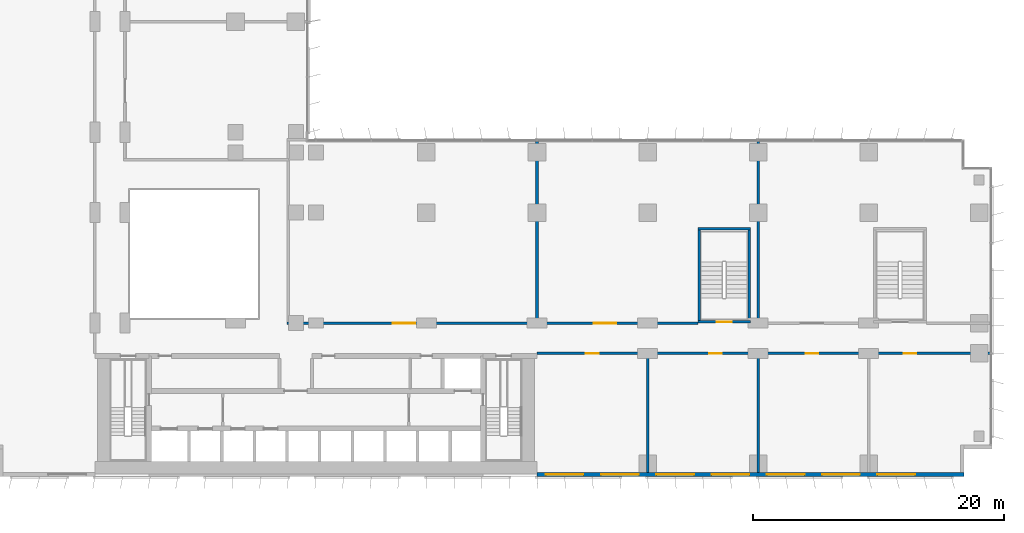
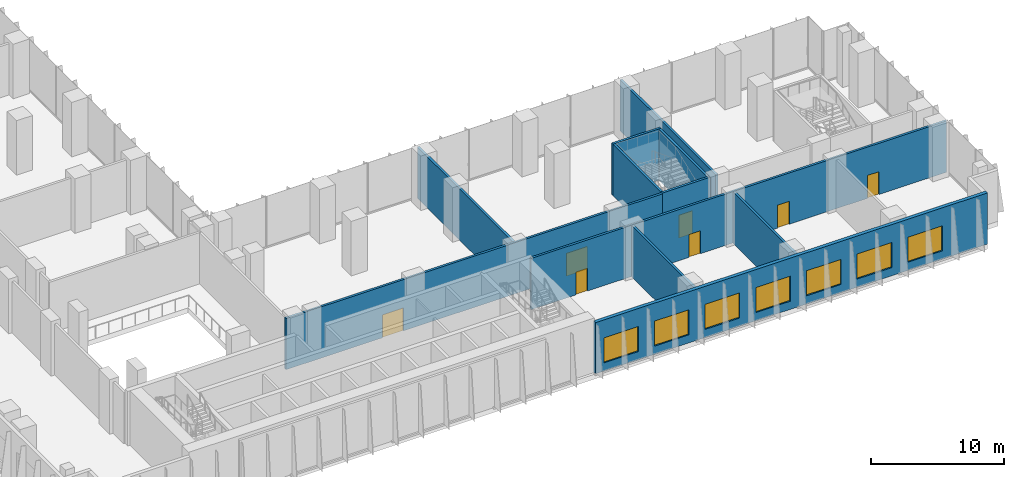
# One storey, part 13 of 23: 11 walls, 7 doors, 7 windows, 14 openings.
"""IFC4 building model written with IfcOpenShell, lengths in metres."""

from ifc_helpers import new_model, si_unit, direction, frame, frame_2d, origin, place, context, subcontext, project, spatial, rectangle, extrude, material, layer, layer_set, type_object, element, fill, save


model = new_model("IFC4")

# Units and contexts
model_context = context("Model", 3, precision=1e-05, world=origin(), true_north=direction((0.0, 1.0)))
body_context = subcontext(model_context, "Body", "Model", "MODEL_VIEW")
ifc_project = project(units=[si_unit("LENGTHUNIT", "METRE"), si_unit("AREAUNIT", "SQUARE_METRE"), si_unit("VOLUMEUNIT", "CUBIC_METRE"), si_unit("PLANEANGLEUNIT", "RADIAN"), si_unit("MASSUNIT", "GRAM", prefix="KILO")], contexts=[model_context])

# Site, building, storey
site_placement = place(None, origin())
site = spatial("IfcSite", under=ifc_project, at=site_placement, CompositionType="ELEMENT")
building_placement = place(site_placement, origin())
building = spatial("IfcBuilding", under=site, at=building_placement, Name="Kemantara Hotel Tower", CompositionType="ELEMENT")
storey_placement = place(building_placement, frame((0.0, 0.0, 71.0)))
storey = spatial("IfcBuildingStorey", under=building, at=storey_placement, Name="L16", CompositionType="ELEMENT", Elevation=71.0)

# Wall, openings, windows
ifc_material_1 = material(Name="Bronze anodised aluminium cladding on insulated steel stud wall", Category="steel")
ifc_layer_1 = layer(ifc_material_1, 0.300048828125)
ifc_layer_set_1 = layer_set([ifc_layer_1], Name="Bronze anodised aluminium cladding on insulated steel stud wall")
wall_type_1 = type_object("IfcWallType", Name="BRONZE METAL-CLAD EXTERNAL WALL 300", PredefinedType="STANDARD", material=ifc_layer_set_1)
wall_1_placement = place(storey_placement, frame((45.0, 0.14990234375, 0.0), z_axis=(0.0, 0.0, 1.0), x_axis=(1.0, 0.0, 0.0)))
wall_1 = element("IfcWall", 1, at=wall_1_placement, inside=storey, type_object=wall_type_1, Name="EXTERNAL WALL L16 T1-R01-3", PredefinedType="STANDARD", context=body_context, shape_type="SweptSolid", body=[
    extrude(rectangle(XDim=34.0, YDim=0.300048828125, at=frame_2d((17.0, 0.0))), origin(), (0.0, 0.0, 1.0), 4.699951171875),
])
opening_1_placement = place(wall_1_placement, frame((0.699951171875, 0.0, 0.75)))
opening_1 = element("IfcOpeningElement", 2, at=opening_1_placement, cuts=wall_1, Name="Opening W1", PredefinedType="OPENING", context=body_context, shape_type="SweptSolid", body=[
    extrude(rectangle(XDim=3.0, YDim=2.300048828125, at=frame_2d((1.5, 1.14990234375))), frame((0.0, 0.159912109375, 0.0), z_axis=(0.0, -1.0, 0.0), x_axis=(1.0, 0.0, 0.0)), (0.0, 0.0, 1.0), 0.320068359375),
])
opening_2_placement = place(wall_1_placement, frame((5.10009765625, 0.0, 0.75)))
opening_2 = element("IfcOpeningElement", 3, at=opening_2_placement, cuts=wall_1, Name="Opening W1", PredefinedType="OPENING", context=body_context, shape_type="SweptSolid", body=[
    extrude(rectangle(XDim=3.0, YDim=2.300048828125, at=frame_2d((1.5, 1.14990234375))), frame((0.0, 0.159912109375, 0.0), z_axis=(0.0, -1.0, 0.0), x_axis=(1.0, 0.0, 0.0)), (0.0, 0.0, 1.0), 0.320068359375),
])
opening_3_placement = place(wall_1_placement, frame((9.5, 0.0, 0.75)))
opening_3 = element("IfcOpeningElement", 4, at=opening_3_placement, cuts=wall_1, Name="Opening W1", PredefinedType="OPENING", context=body_context, shape_type="SweptSolid", body=[
    extrude(rectangle(XDim=3.0, YDim=2.300048828125, at=frame_2d((1.5, 1.14990234375))), frame((0.0, 0.159912109375, 0.0), z_axis=(0.0, -1.0, 0.0), x_axis=(1.0, 0.0, 0.0)), (0.0, 0.0, 1.0), 0.320068359375),
])
opening_4_placement = place(wall_1_placement, frame((13.89990234375, 0.0, 0.75)))
opening_4 = element("IfcOpeningElement", 5, at=opening_4_placement, cuts=wall_1, Name="Opening W1", PredefinedType="OPENING", context=body_context, shape_type="SweptSolid", body=[
    extrude(rectangle(XDim=3.0, YDim=2.300048828125, at=frame_2d((1.5, 1.14990234375))), frame((0.0, 0.159912109375, 0.0), z_axis=(0.0, -1.0, 0.0), x_axis=(1.0, 0.0, 0.0)), (0.0, 0.0, 1.0), 0.320068359375),
])
opening_5_placement = place(wall_1_placement, frame((18.300048828125, 0.0, 0.75)))
opening_5 = element("IfcOpeningElement", 6, at=opening_5_placement, cuts=wall_1, Name="Opening W1", PredefinedType="OPENING", context=body_context, shape_type="SweptSolid", body=[
    extrude(rectangle(XDim=3.0, YDim=2.300048828125, at=frame_2d((1.5, 1.14990234375))), frame((0.0, 0.159912109375, 0.0), z_axis=(0.0, -1.0, 0.0), x_axis=(1.0, 0.0, 0.0)), (0.0, 0.0, 1.0), 0.320068359375),
])
opening_6_placement = place(wall_1_placement, frame((22.699951171875, 0.0, 0.75)))
opening_6 = element("IfcOpeningElement", 7, at=opening_6_placement, cuts=wall_1, Name="Opening W1", PredefinedType="OPENING", context=body_context, shape_type="SweptSolid", body=[
    extrude(rectangle(XDim=3.0, YDim=2.300048828125, at=frame_2d((1.5, 1.14990234375))), frame((0.0, 0.159912109375, 0.0), z_axis=(0.0, -1.0, 0.0), x_axis=(1.0, 0.0, 0.0)), (0.0, 0.0, 1.0), 0.320068359375),
])
opening_7_placement = place(wall_1_placement, frame((27.10009765625, 0.0, 0.75)))
opening_7 = element("IfcOpeningElement", 8, at=opening_7_placement, cuts=wall_1, Name="Opening W1", PredefinedType="OPENING", context=body_context, shape_type="SweptSolid", body=[
    extrude(rectangle(XDim=3.0, YDim=2.300048828125, at=frame_2d((1.5, 1.14990234375))), frame((0.0, 0.159912109375, 0.0), z_axis=(0.0, -1.0, 0.0), x_axis=(1.0, 0.0, 0.0)), (0.0, 0.0, 1.0), 0.320068359375),
])
ifc_material_2 = material(Name="Low-E tinted double insulated glass in bronze anodised aluminium frame", Category="aluminium")
window_type = type_object("IfcWindowType", Name="CHICAGO WINDOW, TRIPLE PANEL 3000x2300", PartitioningType="TRIPLE_PANEL_VERTICAL", PredefinedType="WINDOW", material=ifc_material_2)
window_1_placement = place(opening_1_placement, origin())
window_1 = element("IfcWindow", 9, at=window_1_placement, inside=storey, type_object=window_type, Name="CHICAGO WINDOW L16 T1-R01-450", OverallHeight=2.300048828125, OverallWidth=3.0, PartitioningType="SINGLE_PANEL", PredefinedType="WINDOW", context=body_context, shape_type="SweptSolid", body=[
    extrude(rectangle(XDim=3.0, YDim=2.300048828125, at=frame_2d((1.5, 1.14990234375))), frame((0.0, 0.030029296875, 0.0), z_axis=(0.0, -1.0, 0.0), x_axis=(1.0, 0.0, 0.0)), (0.0, 0.0, 1.0), 0.06005859375),
])
fill(opening_1, window_1)
window_2_placement = place(opening_2_placement, origin())
window_2 = element("IfcWindow", 10, at=window_2_placement, inside=storey, type_object=window_type, Name="CHICAGO WINDOW L16 T1-R01-494", OverallHeight=2.300048828125, OverallWidth=3.0, PartitioningType="SINGLE_PANEL", PredefinedType="WINDOW", context=body_context, shape_type="SweptSolid", body=[
    extrude(rectangle(XDim=3.0, YDim=2.300048828125, at=frame_2d((1.5, 1.14990234375))), frame((0.0, 0.030029296875, 0.0), z_axis=(0.0, -1.0, 0.0), x_axis=(1.0, 0.0, 0.0)), (0.0, 0.0, 1.0), 0.06005859375),
])
fill(opening_2, window_2)
window_3_placement = place(opening_3_placement, origin())
window_3 = element("IfcWindow", 11, at=window_3_placement, inside=storey, type_object=window_type, Name="CHICAGO WINDOW L16 T1-R01-538", OverallHeight=2.300048828125, OverallWidth=3.0, PartitioningType="SINGLE_PANEL", PredefinedType="WINDOW", context=body_context, shape_type="SweptSolid", body=[
    extrude(rectangle(XDim=3.0, YDim=2.300048828125, at=frame_2d((1.5, 1.14990234375))), frame((0.0, 0.030029296875, 0.0), z_axis=(0.0, -1.0, 0.0), x_axis=(1.0, 0.0, 0.0)), (0.0, 0.0, 1.0), 0.06005859375),
])
fill(opening_3, window_3)
window_4_placement = place(opening_4_placement, origin())
window_4 = element("IfcWindow", 12, at=window_4_placement, inside=storey, type_object=window_type, Name="CHICAGO WINDOW L16 T1-R01-582", OverallHeight=2.300048828125, OverallWidth=3.0, PartitioningType="SINGLE_PANEL", PredefinedType="WINDOW", context=body_context, shape_type="SweptSolid", body=[
    extrude(rectangle(XDim=3.0, YDim=2.300048828125, at=frame_2d((1.5, 1.14990234375))), frame((0.0, 0.030029296875, 0.0), z_axis=(0.0, -1.0, 0.0), x_axis=(1.0, 0.0, 0.0)), (0.0, 0.0, 1.0), 0.06005859375),
])
fill(opening_4, window_4)
window_5_placement = place(opening_5_placement, origin())
window_5 = element("IfcWindow", 13, at=window_5_placement, inside=storey, type_object=window_type, Name="CHICAGO WINDOW L16 T1-R01-626", OverallHeight=2.300048828125, OverallWidth=3.0, PartitioningType="SINGLE_PANEL", PredefinedType="WINDOW", context=body_context, shape_type="SweptSolid", body=[
    extrude(rectangle(XDim=3.0, YDim=2.300048828125, at=frame_2d((1.5, 1.14990234375))), frame((0.0, 0.030029296875, 0.0), z_axis=(0.0, -1.0, 0.0), x_axis=(1.0, 0.0, 0.0)), (0.0, 0.0, 1.0), 0.06005859375),
])
fill(opening_5, window_5)
window_6_placement = place(opening_6_placement, origin())
window_6 = element("IfcWindow", 14, at=window_6_placement, inside=storey, type_object=window_type, Name="CHICAGO WINDOW L16 T1-R01-670", OverallHeight=2.300048828125, OverallWidth=3.0, PartitioningType="SINGLE_PANEL", PredefinedType="WINDOW", context=body_context, shape_type="SweptSolid", body=[
    extrude(rectangle(XDim=3.0, YDim=2.300048828125, at=frame_2d((1.5, 1.14990234375))), frame((0.0, 0.030029296875, 0.0), z_axis=(0.0, -1.0, 0.0), x_axis=(1.0, 0.0, 0.0)), (0.0, 0.0, 1.0), 0.06005859375),
])
fill(opening_6, window_6)
window_7_placement = place(opening_7_placement, origin())
window_7 = element("IfcWindow", 15, at=window_7_placement, inside=storey, type_object=window_type, Name="CHICAGO WINDOW L16 T1-R01-714", OverallHeight=2.300048828125, OverallWidth=3.0, PartitioningType="SINGLE_PANEL", PredefinedType="WINDOW", context=body_context, shape_type="SweptSolid", body=[
    extrude(rectangle(XDim=3.0, YDim=2.300048828125, at=frame_2d((1.5, 1.14990234375))), frame((0.0, 0.030029296875, 0.0), z_axis=(0.0, -1.0, 0.0), x_axis=(1.0, 0.0, 0.0)), (0.0, 0.0, 1.0), 0.06005859375),
])
fill(opening_7, window_7)

# Wall, opening, door
ifc_material_3 = material(Name="Concrete fc 40 MPa", Category="concrete")
ifc_layer_2 = layer(ifc_material_3, 0.199951171875)
ifc_layer_set_2 = layer_set([ifc_layer_2], Name="Concrete fc 40 MPa")
wall_type_2 = type_object("IfcWallType", Name="Concrete stair wall 200 mm", PredefinedType="SHEAR", material=ifc_layer_set_2)
wall_2_placement = place(storey_placement, frame((57.800048828125, 12.300048828125, 0.0), z_axis=(0.0, 0.0, 1.0), x_axis=(1.0, 0.0, 0.0)))
wall_2 = element("IfcWall", 16, at=wall_2_placement, inside=storey, type_object=wall_type_2, Name="Stair ST3 enclosure wall with door", PredefinedType="SHEAR", context=body_context, shape_type="SweptSolid", body=[
    extrude(rectangle(XDim=4.199951171875, YDim=0.199951171875, at=frame_2d((2.10009765625, 0.0))), origin(), (0.0, 0.0, 1.0), 4.699951171875),
])
opening_8_placement = place(wall_2_placement, frame((1.5, 0.0, 0.0)))
opening_8 = element("IfcOpeningElement", 17, at=opening_8_placement, cuts=wall_2, Name="Opening ST3-C", PredefinedType="OPENING", context=body_context, shape_type="SweptSolid", body=[
    extrude(rectangle(XDim=1.199951171875, YDim=2.10009765625, at=frame_2d((0.60009765625, 1.050048828125))), frame((0.0, 0.10986328125, 0.0), z_axis=(0.0, -1.0, 0.0), x_axis=(1.0, 0.0, 0.0)), (0.0, 0.0, 1.0), 0.219970703125),
])
ifc_material_4 = material(Name="Steel fire door", Category="steel")
door_type_1 = type_object("IfcDoorType", Name="Fire door FD90 1200 x 2100", OperationType="NOTDEFINED", PredefinedType="DOOR", material=ifc_material_4)
door_1_placement = place(opening_8_placement, origin())
door_1 = element("IfcDoor", 18, at=door_1_placement, inside=storey, type_object=door_type_1, Name="Stair ST3 door", OperationType="SINGLE_SWING_RIGHT", OverallHeight=2.10009765625, OverallWidth=1.199951171875, PredefinedType="DOOR", context=body_context, shape_type="SweptSolid", body=[
    extrude(rectangle(XDim=1.199951171875, YDim=2.10009765625, at=frame_2d((0.60009765625, 1.050048828125))), frame((0.0, 0.02490234375, 0.0), z_axis=(0.0, -1.0, 0.0), x_axis=(1.0, 0.0, 0.0)), (0.0, 0.0, 1.0), 0.050048828125),
])
fill(opening_8, door_1)

# Walls
wall_3_placement = place(storey_placement, frame((57.800048828125, 19.699951171875, 0.0), z_axis=(0.0, 0.0, 1.0), x_axis=(1.0, 0.0, 0.0)))
element("IfcWall", 19, at=wall_3_placement, inside=storey, type_object=wall_type_2, Name="Stair ST3 enclosure wall N", PredefinedType="SHEAR", context=body_context, shape_type="SweptSolid", body=[
    extrude(rectangle(XDim=4.199951171875, YDim=0.199951171875, at=frame_2d((2.10009765625, 0.0))), origin(), (0.0, 0.0, 1.0), 4.699951171875),
])
for number, where, z_axis, x_axis, name in (
    (20, (57.89990234375, 12.39990234375, 0.0), (0.0, 0.0, 1.0), (0.0, 1.0, 0.0), "Stair ST3 enclosure wall W"),
    (21, (61.89990234375, 12.39990234375, 0.0), (0.0, 0.0, 1.0), (0.0, 1.0, 0.0), "Stair ST3 enclosure wall E"),
):
    element("IfcWall", number, at=place(storey_placement, frame(where, z_axis=z_axis, x_axis=x_axis)), inside=storey, type_object=wall_type_2, Name=name, PredefinedType="SHEAR", context=body_context, shape_type="SweptSolid", body=[
        extrude(rectangle(XDim=7.2001953125, YDim=0.199951171875, at=frame_2d((3.60009765625, 0.0))), origin(), (0.0, 0.0, 1.0), 4.699951171875),
    ])
ifc_material_5 = material(Name="Clay brick masonry", Category="masonry")
ifc_layer_3 = layer(ifc_material_5, 0.199951171875)
ifc_layer_set_3 = layer_set([ifc_layer_3], Name="Clay brick masonry")
wall_type_3 = type_object("IfcWallType", Name="FIRE-RATED CLAY BRICK WALL 200 EI 120", PredefinedType="PARTITIONING", material=ifc_layer_set_3)
for number, where, z_axis, x_axis, name in (
    (22, (53.800048828125, 0.300048828125, 0.0), (0.0, 0.0, 1.0), (0.0, 1.0, 0.0), "FIRE WALL"),
    (23, (62.60009765625, 0.300048828125, 0.0), (0.0, 0.0, 1.0), (0.0, 1.0, 0.0), "FIRE WALL"),
):
    element("IfcWall", number, at=place(storey_placement, frame(where, z_axis=z_axis, x_axis=x_axis)), inside=storey, type_object=wall_type_3, Name=name, PredefinedType="PARTITIONING", context=body_context, shape_type="SweptSolid", body=[
        extrude(rectangle(XDim=9.39990234375, YDim=0.199951171875, at=frame_2d((4.699951171875, 0.0))), origin(), (0.0, 0.0, 1.0), 4.699951171875),
    ])
for number, where, z_axis, x_axis, name in (
    (24, (62.60009765625, 12.300048828125, 0.0), (0.0, 0.0, 1.0), (0.0, 1.0, 0.0), "FIRE WALL"),
    (25, (45.0, 12.300048828125, 0.0), (0.0, 0.0, 1.0), (0.0, 1.0, 0.0), "FIRE WALL"),
):
    element("IfcWall", number, at=place(storey_placement, frame(where, z_axis=z_axis, x_axis=x_axis)), inside=storey, type_object=wall_type_3, Name=name, PredefinedType="PARTITIONING", context=body_context, shape_type="SweptSolid", body=[
        extrude(rectangle(XDim=14.349853515625, YDim=0.199951171875, at=frame_2d((7.1748046875, 0.0))), origin(), (0.0, 0.0, 1.0), 4.699951171875),
    ])

# Wall, openings, doors
ifc_material_6 = material(Name="Fire-rated gypsum board partition")
ifc_layer_4 = layer(ifc_material_6, 0.199951171875)
ifc_layer_set_4 = layer_set([ifc_layer_4], Name="Fire-rated gypsum board partition")
wall_type_4 = type_object("IfcWallType", Name="FIRE-RATED GYPSUM PARTITION 200 EI 60", PredefinedType="PARTITIONING", material=ifc_layer_set_4)
wall_4_placement = place(storey_placement, frame((45.0, 9.800048828125, 0.0), z_axis=(0.0, 0.0, 1.0), x_axis=(1.0, 0.0, 0.0)))
wall_4 = element("IfcWall", 26, at=wall_4_placement, inside=storey, type_object=wall_type_4, Name="FIRE-RATED PARTITION", PredefinedType="PARTITIONING", context=body_context, shape_type="SweptSolid", body=[
    extrude(rectangle(XDim=36.050048828125, YDim=0.199951171875, at=frame_2d((18.02490234375, 0.0))), origin(), (0.0, 0.0, 1.0), 4.699951171875),
])
opening_9_placement = place(wall_4_placement, frame((3.89990234375, 0.0, 0.0)))
opening_9 = element("IfcOpeningElement", 27, at=opening_9_placement, cuts=wall_4, Name="Opening L16-B001", PredefinedType="OPENING", context=body_context, shape_type="SweptSolid", body=[
    extrude(rectangle(XDim=1.0, YDim=2.10009765625, at=frame_2d((0.5, 1.050048828125))), frame((0.0, 0.10986328125, 0.0), z_axis=(0.0, -1.0, 0.0), x_axis=(1.0, 0.0, 0.0)), (0.0, 0.0, 1.0), 0.219970703125),
])
opening_10_placement = place(wall_4_placement, frame((13.699951171875, 0.0, 0.0)))
opening_10 = element("IfcOpeningElement", 28, at=opening_10_placement, cuts=wall_4, Name="Opening L16-B002", PredefinedType="OPENING", context=body_context, shape_type="SweptSolid", body=[
    extrude(rectangle(XDim=1.0, YDim=2.10009765625, at=frame_2d((0.5, 1.050048828125))), frame((0.0, 0.10986328125, 0.0), z_axis=(0.0, -1.0, 0.0), x_axis=(1.0, 0.0, 0.0)), (0.0, 0.0, 1.0), 0.219970703125),
])
opening_11_placement = place(wall_4_placement, frame((21.39990234375, 0.0, 0.0)))
opening_11 = element("IfcOpeningElement", 29, at=opening_11_placement, cuts=wall_4, Name="Opening L16-B003", PredefinedType="OPENING", context=body_context, shape_type="SweptSolid", body=[
    extrude(rectangle(XDim=1.0, YDim=2.10009765625, at=frame_2d((0.5, 1.050048828125))), frame((0.0, 0.10986328125, 0.0), z_axis=(0.0, -1.0, 0.0), x_axis=(1.0, 0.0, 0.0)), (0.0, 0.0, 1.0), 0.219970703125),
])
opening_12_placement = place(wall_4_placement, frame((29.199951171875, 0.0, 0.0)))
opening_12 = element("IfcOpeningElement", 30, at=opening_12_placement, cuts=wall_4, Name="Opening L16-B004", PredefinedType="OPENING", context=body_context, shape_type="SweptSolid", body=[
    extrude(rectangle(XDim=1.0, YDim=2.10009765625, at=frame_2d((0.5, 1.050048828125))), frame((0.0, 0.10986328125, 0.0), z_axis=(0.0, -1.0, 0.0), x_axis=(1.0, 0.0, 0.0)), (0.0, 0.0, 1.0), 0.219970703125),
])
ifc_material_7 = material(Name="Galvanised steel door leaf", Category="steel")
door_type_2 = type_object("IfcDoorType", Name="FIRE-RATED STEEL DOOR 1000 X 2100", OperationType="SINGLE_SWING_LEFT", PredefinedType="DOOR", material=ifc_material_7)
door_2_placement = place(opening_9_placement, origin())
door_2 = element("IfcDoor", 31, at=door_2_placement, inside=storey, type_object=door_type_2, Name="FIRE-RATED STEEL DOOR", OperationType="SINGLE_SWING_LEFT", OverallHeight=2.10009765625, OverallWidth=1.0, PredefinedType="DOOR", context=body_context, shape_type="SweptSolid", body=[
    extrude(rectangle(XDim=1.0, YDim=2.10009765625, at=frame_2d((0.5, 1.050048828125))), frame((0.0, 0.02490234375, 0.0), z_axis=(0.0, -1.0, 0.0), x_axis=(1.0, 0.0, 0.0)), (0.0, 0.0, 1.0), 0.050048828125),
])
fill(opening_9, door_2)
door_3_placement = place(opening_10_placement, origin())
door_3 = element("IfcDoor", 32, at=door_3_placement, inside=storey, type_object=door_type_2, Name="FIRE-RATED STEEL DOOR", OperationType="SINGLE_SWING_LEFT", OverallHeight=2.10009765625, OverallWidth=1.0, PredefinedType="DOOR", context=body_context, shape_type="SweptSolid", body=[
    extrude(rectangle(XDim=1.0, YDim=2.10009765625, at=frame_2d((0.5, 1.050048828125))), frame((0.0, 0.02490234375, 0.0), z_axis=(0.0, -1.0, 0.0), x_axis=(1.0, 0.0, 0.0)), (0.0, 0.0, 1.0), 0.050048828125),
])
fill(opening_10, door_3)
door_4_placement = place(opening_11_placement, origin())
door_4 = element("IfcDoor", 33, at=door_4_placement, inside=storey, type_object=door_type_2, Name="FIRE-RATED STEEL DOOR", OperationType="SINGLE_SWING_RIGHT", OverallHeight=2.10009765625, OverallWidth=1.0, PredefinedType="DOOR", context=body_context, shape_type="SweptSolid", body=[
    extrude(rectangle(XDim=1.0, YDim=2.10009765625, at=frame_2d((0.5, 1.050048828125))), frame((0.0, 0.02490234375, 0.0), z_axis=(0.0, -1.0, 0.0), x_axis=(1.0, 0.0, 0.0)), (0.0, 0.0, 1.0), 0.050048828125),
])
fill(opening_11, door_4)
door_5_placement = place(opening_12_placement, origin())
door_5 = element("IfcDoor", 34, at=door_5_placement, inside=storey, type_object=door_type_2, Name="FIRE-RATED STEEL DOOR", OperationType="SINGLE_SWING_RIGHT", OverallHeight=2.10009765625, OverallWidth=1.0, PredefinedType="DOOR", context=body_context, shape_type="SweptSolid", body=[
    extrude(rectangle(XDim=1.0, YDim=2.10009765625, at=frame_2d((0.5, 1.050048828125))), frame((0.0, 0.02490234375, 0.0), z_axis=(0.0, -1.0, 0.0), x_axis=(1.0, 0.0, 0.0)), (0.0, 0.0, 1.0), 0.050048828125),
])
fill(opening_12, door_5)

wall_5_placement = place(storey_placement, frame((25.10009765625, 12.199951171875, 0.0), z_axis=(0.0, 0.0, 1.0), x_axis=(1.0, 0.0, 0.0)))
wall_5 = element("IfcWall", 35, at=wall_5_placement, inside=storey, type_object=wall_type_4, Name="FIRE-RATED PARTITION", PredefinedType="PARTITIONING", context=body_context, shape_type="SweptSolid", body=[
    extrude(rectangle(XDim=32.699951171875, YDim=0.199951171875, at=frame_2d((16.35009765625, 0.0))), origin(), (0.0, 0.0, 1.0), 4.699951171875),
])
opening_13_placement = place(wall_5_placement, frame((8.39990234375, 0.0, 0.0)))
opening_13 = element("IfcOpeningElement", 36, at=opening_13_placement, cuts=wall_5, Name="Opening L16-B005", PredefinedType="OPENING", context=body_context, shape_type="SweptSolid", body=[
    extrude(rectangle(XDim=1.800048828125, YDim=2.10009765625, at=frame_2d((0.89990234375, 1.050048828125))), frame((0.0, 0.10986328125, 0.0), z_axis=(0.0, -1.0, 0.0), x_axis=(1.0, 0.0, 0.0)), (0.0, 0.0, 1.0), 0.219970703125),
])
opening_14_placement = place(wall_5_placement, frame((24.39990234375, 0.0, 0.0)))
opening_14 = element("IfcOpeningElement", 37, at=opening_14_placement, cuts=wall_5, Name="Opening L16-B006", PredefinedType="OPENING", context=body_context, shape_type="SweptSolid", body=[
    extrude(rectangle(XDim=1.800048828125, YDim=2.10009765625, at=frame_2d((0.89990234375, 1.050048828125))), frame((0.0, 0.10986328125, 0.0), z_axis=(0.0, -1.0, 0.0), x_axis=(1.0, 0.0, 0.0)), (0.0, 0.0, 1.0), 0.219970703125),
])
door_type_3 = type_object("IfcDoorType", Name="FIRE-RATED STEEL DOOR DOUBLE LEAF 1800 X 2100", OperationType="DOUBLE_DOOR_SINGLE_SWING", PredefinedType="DOOR", material=ifc_material_7)
door_6_placement = place(opening_13_placement, frame((1.800048828125, 0.0, 0.0), z_axis=(0.0, 0.0, 1.0), x_axis=(-1.0, 0.0, 0.0)))
door_6 = element("IfcDoor", 38, at=door_6_placement, inside=storey, type_object=door_type_3, Name="FIRE-RATED STEEL DOOR DOUBLE LEAF", OperationType="DOUBLE_DOOR_SINGLE_SWING", OverallHeight=2.10009765625, OverallWidth=1.800048828125, PredefinedType="DOOR", context=body_context, shape_type="SweptSolid", body=[
    extrude(rectangle(XDim=1.800048828125, YDim=2.10009765625, at=frame_2d((0.89990234375, 1.050048828125))), frame((0.0, 0.02490234375, 0.0), z_axis=(0.0, -1.0, 0.0), x_axis=(1.0, 0.0, 0.0)), (0.0, 0.0, 1.0), 0.050048828125),
])
fill(opening_13, door_6)
door_7_placement = place(opening_14_placement, frame((1.800048828125, 0.0, 0.0), z_axis=(0.0, 0.0, 1.0), x_axis=(-1.0, 0.0, 0.0)))
door_7 = element("IfcDoor", 39, at=door_7_placement, inside=storey, type_object=door_type_3, Name="FIRE-RATED STEEL DOOR DOUBLE LEAF", OperationType="DOUBLE_DOOR_SINGLE_SWING", OverallHeight=2.10009765625, OverallWidth=1.800048828125, PredefinedType="DOOR", context=body_context, shape_type="SweptSolid", body=[
    extrude(rectangle(XDim=1.800048828125, YDim=2.10009765625, at=frame_2d((0.89990234375, 1.050048828125))), frame((0.0, 0.02490234375, 0.0), z_axis=(0.0, -1.0, 0.0), x_axis=(1.0, 0.0, 0.0)), (0.0, 0.0, 1.0), 0.050048828125),
])
fill(opening_14, door_7)

save(model, "model.ifc")
